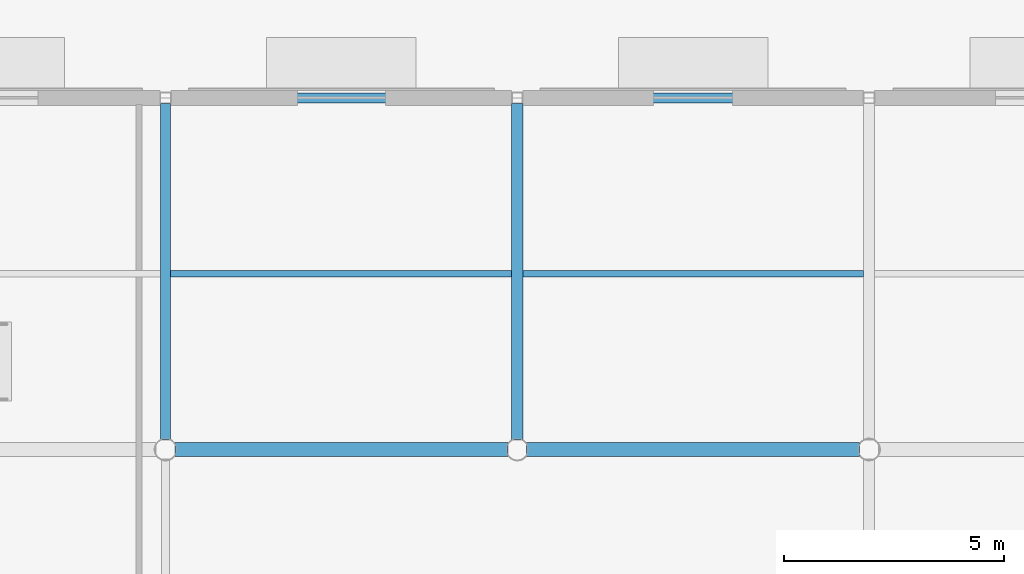
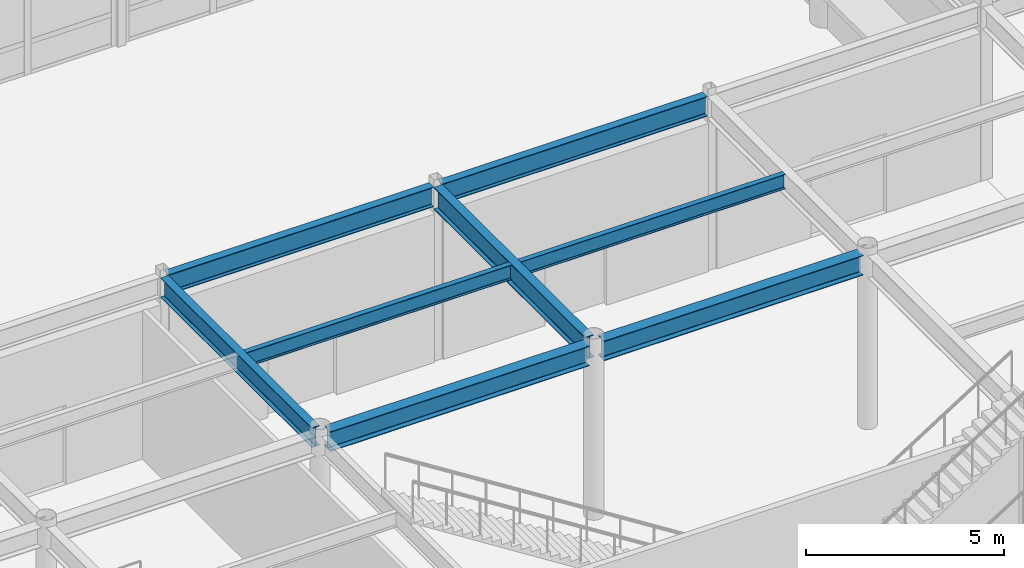
# One storey, part 42 of 128: 8 beams.
"""IFC4 building model written with IfcOpenShell, lengths in metres."""

from ifc_helpers import new_model, si_unit, direction, frame, origin, origin_2d, place, context, subcontext, project, spatial, i_section, extrude, material, material_profile, profile_set, type_object, element, save


model = new_model("IFC4")

# Units and contexts
model_context = context("Model", 3, precision=1e-05, world=origin(), true_north=direction((0.0, 1.0)))
body_context = subcontext(model_context, "Body", "Model", "MODEL_VIEW")
ifc_project = project(units=[si_unit("LENGTHUNIT", "METRE"), si_unit("AREAUNIT", "SQUARE_METRE"), si_unit("VOLUMEUNIT", "CUBIC_METRE"), si_unit("PLANEANGLEUNIT", "RADIAN"), si_unit("MASSUNIT", "GRAM", prefix="KILO")], contexts=[model_context])

# Site, building, storey
site_placement = place(None, origin())
site = spatial("IfcSite", under=ifc_project, at=site_placement, CompositionType="ELEMENT")
building_placement = place(site_placement, origin())
building = spatial("IfcBuilding", under=site, at=building_placement, Name="Solmirada Galleria", CompositionType="ELEMENT")
storey_placement = place(building_placement, origin())
storey = spatial("IfcBuildingStorey", under=building, at=storey_placement, Name="L00", CompositionType="ELEMENT", Elevation=0.0)

# Beams
ifc_material = material(Name="Steel S355 / ASTM A992 Grade 50", Category="steel")
ifc_material_profile_1 = material_profile(ifc_material, i_section(OverallWidth=0.323974609375, OverallDepth=0.611083984375, WebThickness=0.0126953125, FlangeThickness=0.01904296875, FilletRadius=0.014892578125, at=origin_2d()), Name="W24X104")
ifc_profile_set_1 = profile_set([ifc_material_profile_1], Name="Steel S355 / ASTM A992 Grade 50")
beam_type_1 = type_object("IfcBeamType", Name="BM-GIRD-W24A", PredefinedType="BEAM", material=ifc_profile_set_1)
for number, where, z_axis, x_axis, name in (
    (1, (56.21337890625, 32.0, 5.074462890625), (1.0, 0.0, 0.0), (0.0, 1.0, 0.0), "Primary beam L01 X(56..64, 32)"),
    (2, (64.21337890625, 32.0, 5.074462890625), (1.0, 0.0, 0.0), (0.0, 1.0, 0.0), "Primary beam L01 X(64..72, 32)"),
):
    element("IfcBeam", number, at=place(storey_placement, frame(where, z_axis=z_axis, x_axis=x_axis)), inside=storey, type_object=beam_type_1, Name=name, PredefinedType="BEAM", context=body_context, shape_type="SweptSolid", body=[
        extrude(i_section(OverallWidth=0.323974609375, OverallDepth=0.611083984375, WebThickness=0.0126953125, FlangeThickness=0.01904296875, FilletRadius=0.014892578125, at=origin_2d()), origin(), (0.0, 0.0, 1.0), 7.5732421875),
    ])
ifc_material_profile_2 = material_profile(ifc_material, i_section(OverallWidth=0.22900390625, OverallDepth=0.612060546875, WebThickness=0.011962890625, FlangeThickness=0.01953125, FilletRadius=0.014892578125, at=origin_2d()), Name="W24X84")
ifc_profile_set_2 = profile_set([ifc_material_profile_2], Name="Steel S355 / ASTM A992 Grade 50")
beam_type_2 = type_object("IfcBeamType", Name="BM-GIRD-W24B", PredefinedType="BEAM", material=ifc_profile_set_2)
for number, where, z_axis, x_axis, name in (
    (3, (56.126953125, 40.0, 5.073974609375), (1.0, 0.0, 0.0), (0.0, 1.0, 0.0), "Primary beam L01 X(56..64, 40)"),
    (4, (64.126953125, 40.0, 5.073974609375), (1.0, 0.0, 0.0), (0.0, 1.0, 0.0), "Primary beam L01 X(64..72, 40)"),
):
    element("IfcBeam", number, at=place(storey_placement, frame(where, z_axis=z_axis, x_axis=x_axis)), inside=storey, type_object=beam_type_2, Name=name, PredefinedType="BEAM", context=body_context, shape_type="SweptSolid", body=[
        extrude(i_section(OverallWidth=0.22900390625, OverallDepth=0.612060546875, WebThickness=0.011962890625, FlangeThickness=0.01953125, FilletRadius=0.014892578125, at=origin_2d()), origin(), (0.0, 0.0, 1.0), 7.74609375),
    ])
ifc_material_profile_3 = material_profile(ifc_material, i_section(OverallWidth=0.22802734375, OverallDepth=0.60302734375, WebThickness=0.010498046875, FlangeThickness=0.014892578125, FilletRadius=0.014892578125, at=origin_2d()), Name="W24X68")
ifc_profile_set_3 = profile_set([ifc_material_profile_3], Name="Steel S355 / ASTM A992 Grade 50")
beam_type_3 = type_object("IfcBeamType", Name="BM-GIRD-W24C", PredefinedType="BEAM", material=ifc_profile_set_3)
beam_1_placement = place(storey_placement, frame((56.0, 32.21337890625, 5.07861328125), z_axis=(0.0, 1.0, 0.0), x_axis=(-1.0, 0.0, 0.0)))
element("IfcBeam", 5, at=beam_1_placement, inside=storey, type_object=beam_type_3, Name="Primary girder L01 Y(56, 32..40)", PredefinedType="BEAM", context=body_context, shape_type="SweptSolid", body=[
    extrude(i_section(OverallWidth=0.22802734375, OverallDepth=0.60302734375, WebThickness=0.010498046875, FlangeThickness=0.014892578125, FilletRadius=0.014892578125, at=origin_2d()), origin(), (0.0, 0.0, 1.0), 7.65966796875),
])
ifc_material_profile_4 = material_profile(ifc_material, i_section(OverallWidth=0.25390625, OverallDepth=0.68408203125, WebThickness=0.012451171875, FlangeThickness=0.018798828125, FilletRadius=0.01708984375, at=origin_2d()), Name="W27X94")
ifc_profile_set_4 = profile_set([ifc_material_profile_4], Name="Steel S355 / ASTM A992 Grade 50")
beam_type_4 = type_object("IfcBeamType", Name="BM-GIRD-W27B", PredefinedType="BEAM", material=ifc_profile_set_4)
beam_2_placement = place(storey_placement, frame((64.0, 32.21337890625, 5.0380859375), z_axis=(0.0, 1.0, 0.0), x_axis=(-1.0, 0.0, 0.0)))
element("IfcBeam", 6, at=beam_2_placement, inside=storey, type_object=beam_type_4, Name="Primary girder L01 Y(64, 32..40)", PredefinedType="BEAM", context=body_context, shape_type="SweptSolid", body=[
    extrude(i_section(OverallWidth=0.25390625, OverallDepth=0.68408203125, WebThickness=0.012451171875, FlangeThickness=0.018798828125, FilletRadius=0.01708984375, at=origin_2d()), origin(), (0.0, 0.0, 1.0), 7.65966796875),
])
ifc_material_profile_5 = material_profile(ifc_material, i_section(OverallWidth=0.153076171875, OverallDepth=0.455078125, WebThickness=0.008056640625, FlangeThickness=0.01318359375, FilletRadius=0.011962890625, at=origin_2d()), Name="W18X40")
ifc_profile_set_5 = profile_set([ifc_material_profile_5], Name="Steel S355 / ASTM A992 Grade 50")
beam_type_5 = type_object("IfcBeamType", Name="BM-JST-W18A", PredefinedType="JOIST", material=ifc_profile_set_5)
beam_3_placement = place(storey_placement, frame((56.114013671875, 36.0, 5.152587890625), z_axis=(1.0, 0.0, 0.0), x_axis=(0.0, 1.0, 0.0)))
element("IfcBeam", 7, at=beam_3_placement, inside=storey, type_object=beam_type_5, Name="Composite floor joist L01 (56..64, 36.0)", PredefinedType="JOIST", context=body_context, shape_type="SweptSolid", body=[
    extrude(i_section(OverallWidth=0.153076171875, OverallDepth=0.455078125, WebThickness=0.008056640625, FlangeThickness=0.01318359375, FilletRadius=0.011962890625, at=origin_2d()), origin(), (0.0, 0.0, 1.0), 7.759033203125),
])
beam_4_placement = place(storey_placement, frame((64.126953125, 36.0, 5.152587890625), z_axis=(1.0, 0.0, 0.0), x_axis=(0.0, 1.0, 0.0)))
element("IfcBeam", 8, at=beam_4_placement, inside=storey, type_object=beam_type_5, Name="Composite floor joist L01 (64..72, 36.0)", PredefinedType="JOIST", context=body_context, shape_type="SweptSolid", body=[
    extrude(i_section(OverallWidth=0.153076171875, OverallDepth=0.455078125, WebThickness=0.008056640625, FlangeThickness=0.01318359375, FilletRadius=0.011962890625, at=origin_2d()), origin(), (0.0, 0.0, 1.0), 7.7451171875),
])

save(model, "model.ifc")
